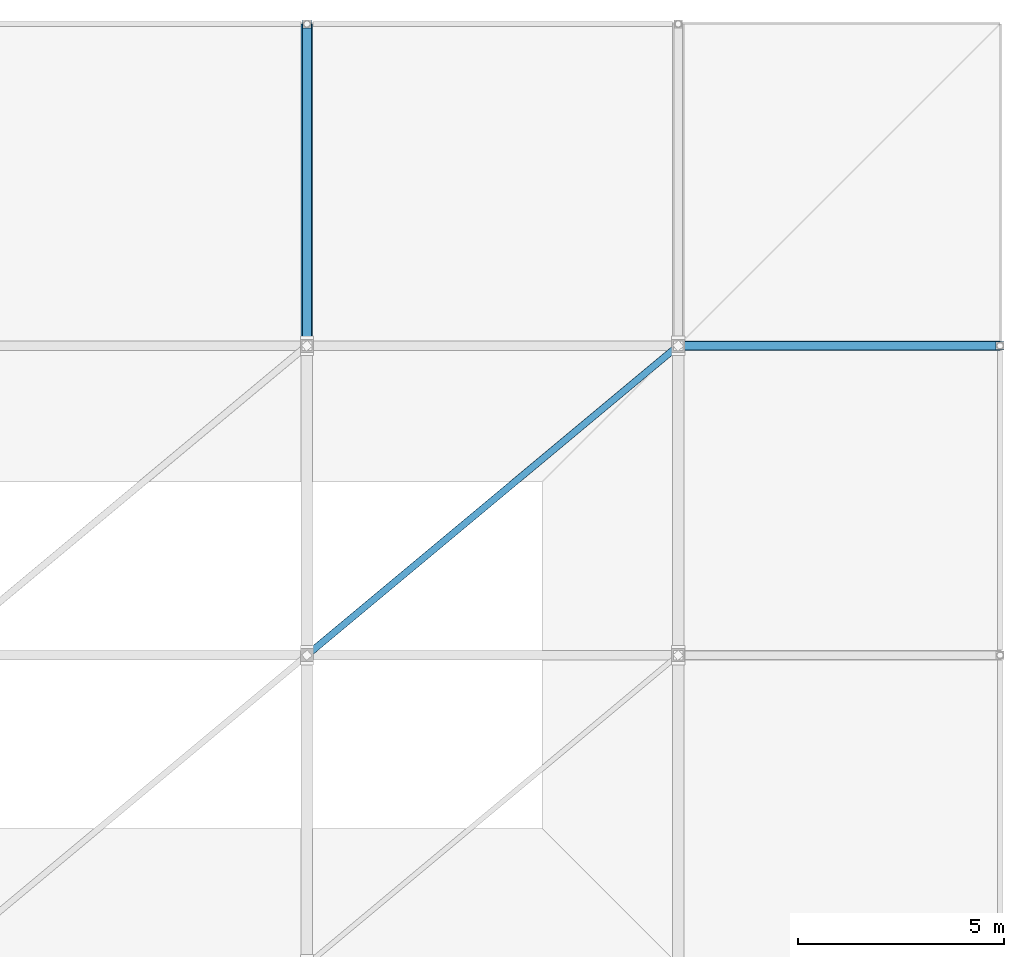
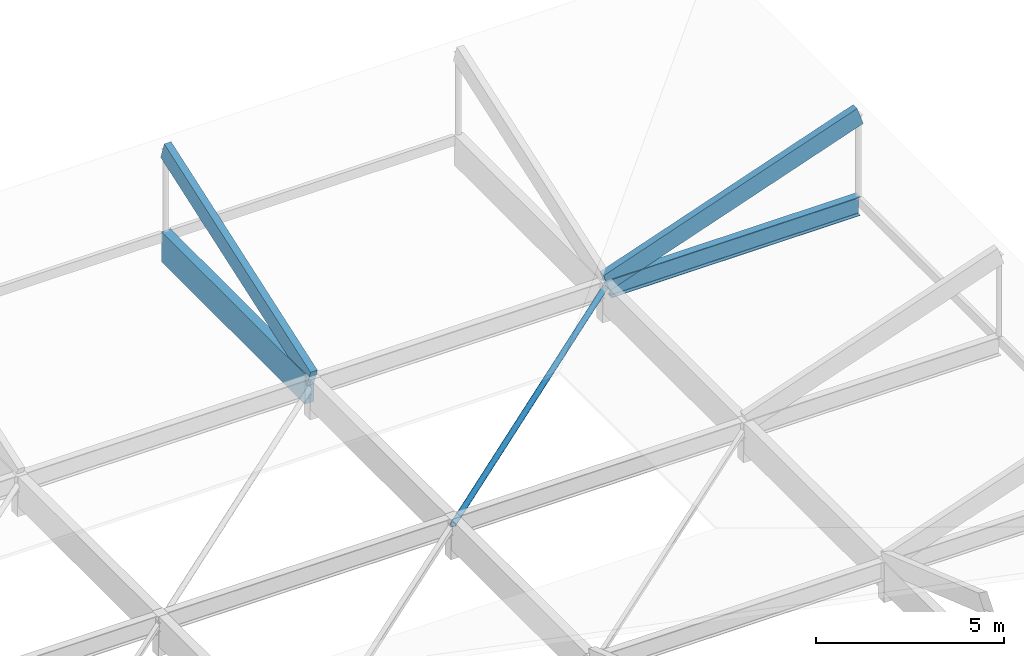
# One storey, part 14 of 19: 3 members, 2 beams.
"""IFC4 building model written with IfcOpenShell, lengths in metres."""

import ifcopenshell
import ifcopenshell.guid

model = None  # the IFC model being written
_history = None  # IfcOwnerHistory: only IFC2X3 demands one
_inside = {}  # id of a spatial element -> (the spatial element, [elements in it])
_under = {}  # id of a project, library or spatial element -> (it, [spatial elements below it])
_declared = {}  # id of a project -> (the project, [libraries it declares])
_typed = {}  # id of a type object -> (the type object, [elements of that type])
_made_of = {}  # id of a material, layer set ... -> (it, [elements and type objects made of it])


def new_model(schema):
    """Start an empty IFC model of exactly this schema.

    Asked for "IFC4X3", IfcOpenShell would pick the latest addendum, in which some entities
    have other attributes; the version numbers below select the first issue.
    IFC2X3 requires an IfcOwnerHistory on every rooted entity: one is made here for all.
    """
    global model, _history
    if schema == "IFC4X3":
        model = ifcopenshell.file(schema_version=(4, 3, 0, 0))
    else:
        model = ifcopenshell.file(schema=schema)
    _inside.clear()
    _under.clear()
    _declared.clear()
    _typed.clear()
    _made_of.clear()
    _history = None
    if model.schema == "IFC2X3":
        org = make("IfcOrganization", Name="unknown")
        user = make(
            "IfcPersonAndOrganization",
            ThePerson=make("IfcPerson", FamilyName="unknown"),
            TheOrganization=org,
        )
        app = make(
            "IfcApplication",
            ApplicationDeveloper=org,
            Version="unknown",
            ApplicationFullName="unknown",
            ApplicationIdentifier="unknown",
        )
        _history = make(
            "IfcOwnerHistory",
            OwningUser=user,
            OwningApplication=app,
            ChangeAction="ADDED",
            CreationDate=0,
        )
    return model


def make(cls, **values):
    """One entity of the class cls with the attributes given. An attribute that is None is left unset."""
    return model.create_entity(
        cls, **{name: value for name, value in values.items() if value is not None}
    )


def rooted(cls, **values):
    """An entity with a GlobalId (a new one), such as an element, a storey or a relation."""
    return make(cls, GlobalId=ifcopenshell.guid.new(), OwnerHistory=_history, **values)


def si_unit(unit_type, name, prefix=None):
    """IfcSIUnit, for example si_unit("LENGTHUNIT", "METRE", prefix="MILLI")."""
    return make("IfcSIUnit", UnitType=unit_type, Prefix=prefix, Name=name)


def assignment(units):
    """IfcUnitAssignment: the units of a project."""
    return None if units is None else make("IfcUnitAssignment", Units=units)


def point(xyz):
    """IfcCartesianPoint."""
    return None if xyz is None else make("IfcCartesianPoint", Coordinates=xyz)


def direction(xyz):
    """IfcDirection."""
    return None if xyz is None else make("IfcDirection", DirectionRatios=xyz)


def frame(location, z_axis=None, x_axis=None):
    """IfcAxis2Placement3D, a coordinate frame: its origin and axes. An axis left out is left unset."""
    return make(
        "IfcAxis2Placement3D",
        Location=point(location),
        Axis=direction(z_axis),
        RefDirection=direction(x_axis),
    )


def frame_2d(location, x_axis=None):
    """IfcAxis2Placement2D, a coordinate frame in the plane: its origin and x axis."""
    return make(
        "IfcAxis2Placement2D", Location=point(location), RefDirection=direction(x_axis)
    )


def origin():
    """The frame at (0, 0, 0) with its axes left unset."""
    return frame((0.0, 0.0, 0.0))


def origin_2d():
    """The frame at (0, 0) in the plane with its x axis left unset."""
    return frame_2d((0.0, 0.0))


def place(relative_to, where):
    """IfcLocalPlacement: puts the frame where relative to a parent placement (None: the world)."""
    return make(
        "IfcLocalPlacement", PlacementRelTo=relative_to, RelativePlacement=where
    )


def context(
    kind, dimensions, precision=None, world=None, true_north=None, identifier=None
):
    """IfcGeometricRepresentationContext, for example the 3D "Model" context."""
    return make(
        "IfcGeometricRepresentationContext",
        ContextIdentifier=identifier,
        ContextType=kind,
        CoordinateSpaceDimension=dimensions,
        Precision=precision,
        WorldCoordinateSystem=world,
        TrueNorth=true_north,
    )


def subcontext(parent, identifier, kind, view, scale=None):
    """IfcGeometricRepresentationSubContext, for example "Body" below "Model"."""
    return make(
        "IfcGeometricRepresentationSubContext",
        ContextIdentifier=identifier,
        ContextType=kind,
        ParentContext=parent,
        TargetScale=scale,
        TargetView=view,
    )


def project(units=None, contexts=None):
    """IfcProject with its units and contexts."""
    return rooted(
        "IfcProject",
        Name="project",
        RepresentationContexts=contexts,
        UnitsInContext=assignment(units),
    )


def spatial(cls, under=None, at=None, **own):
    """A site, building, storey or space (cls), placed at a placement, below another one or the project."""
    s = rooted(cls, ObjectPlacement=at, **own)
    if under is not None:
        _under.setdefault(under.id(), (under, []))[1].append(s)
    return s


def profile(cls, at=None, kind="AREA", **sizes):
    """A parametric profile (cls). Its sizes go by their IFC names, for example OverallWidth=200.0."""
    return make(cls, ProfileType=kind, Position=at, **sizes)


def rectangle(**sizes):
    """IfcRectangleProfileDef."""
    return profile("IfcRectangleProfileDef", **sizes)


def hollow_circle(**sizes):
    """IfcCircleHollowProfileDef."""
    return profile("IfcCircleHollowProfileDef", **sizes)


def i_section(**sizes):
    """IfcIShapeProfileDef."""
    return profile("IfcIShapeProfileDef", **sizes)


def extrude(swept, where, along, depth):
    """IfcExtrudedAreaSolid: the profile swept, set in the frame where, extruded along a direction by depth."""
    return make(
        "IfcExtrudedAreaSolid",
        SweptArea=swept,
        Position=where,
        ExtrudedDirection=direction(along),
        Depth=depth,
    )


def shape(context_of_items, identifier, shape_type, items):
    """IfcShapeRepresentation: the items that make up one representation, for example the "Body"."""
    return make(
        "IfcShapeRepresentation",
        ContextOfItems=context_of_items,
        RepresentationIdentifier=identifier,
        RepresentationType=shape_type,
        Items=items,
    )


def material(Name=None, Category=None):
    """IfcMaterial."""
    return make("IfcMaterial", Name=Name, Category=Category)


def material_profile(
    of_material, cross_section, Name=None, Category=None, Priority=None
):
    """IfcMaterialProfile: a cross section and its material."""
    return make(
        "IfcMaterialProfile",
        Name=Name,
        Material=of_material,
        Profile=cross_section,
        Priority=Priority,
        Category=Category,
    )


def profile_set(profiles, Name=None, composite=None):
    """IfcMaterialProfileSet."""
    return make(
        "IfcMaterialProfileSet",
        Name=Name,
        MaterialProfiles=profiles,
        CompositeProfile=composite,
    )


def made_of(thing, what):
    """Note that an element or type object is made of a material, layer set ...; save() writes the relation."""
    if what is not None:
        _made_of.setdefault(what.id(), (what, []))[1].append(thing)
    return thing


def type_object(cls, material=None, **own):
    """A type object (cls), such as IfcWallType, which elements share."""
    return made_of(rooted(cls, **own), material)


def element(
    cls,
    number,
    at=None,
    inside=None,
    cuts=None,
    type_object=None,
    material=None,
    context=None,
    identifier="Body",
    shape_type=None,
    held_by="IfcProductDefinitionShape",
    body=None,
    shapes=None,
    **own,
):
    """One element of the class cls, such as IfcWall. Its Tag is "e" and its number.

    at: its placement. inside: the storey or other place that contains it. cuts: it is an
    opening in that element (IfcRelVoidsElement). A single representation is given by context,
    identifier, shape_type and body (its items); several are given by shapes. held_by: the class
    of the entity that holds the representations. save() writes the other relations.
    """
    e = rooted(cls, Tag="e%d" % number, ObjectPlacement=at, **own)
    if body is not None:
        shapes = [shape(context, identifier, shape_type, body)]
    if shapes is not None:
        e.Representation = make(held_by, Representations=shapes)
    if inside is not None:
        _inside.setdefault(inside.id(), (inside, []))[1].append(e)
    if cuts is not None:
        rooted(
            "IfcRelVoidsElement", RelatingBuildingElement=cuts, RelatedOpeningElement=e
        )
    if type_object is not None:
        _typed.setdefault(type_object.id(), (type_object, []))[1].append(e)
    return made_of(e, material)


def aggregate(whole, parts):
    """IfcRelAggregates: a whole, such as a stair, and the parts it consists of."""
    return rooted("IfcRelAggregates", RelatingObject=whole, RelatedObjects=parts)


def save(model, path):
    """Write the relations noted so far, then the file.

    IfcRelAggregates (storeys below a building ...), IfcRelContainedInSpatialStructure (elements
    in a storey), IfcRelDefinesByType, IfcRelAssociatesMaterial and IfcRelDeclares: one each for
    every whole, place, type object, material and project.
    """
    for whole, parts in _under.values():
        aggregate(whole, parts)
    for where, things in _inside.values():
        rooted(
            "IfcRelContainedInSpatialStructure",
            RelatedElements=things,
            RelatingStructure=where,
        )
    for kind, things in _typed.values():
        rooted("IfcRelDefinesByType", RelatedObjects=things, RelatingType=kind)
    for what, things in _made_of.values():
        rooted("IfcRelAssociatesMaterial", RelatedObjects=things, RelatingMaterial=what)
    for by, libraries in _declared.values():
        rooted("IfcRelDeclares", RelatingContext=by, RelatedDefinitions=libraries)
    model.write(path)


model = new_model("IFC4")

# Units and contexts
model_context = context("Model", 3, precision=1e-05, world=origin(), true_north=direction((0.0, 1.0)))
body_context = subcontext(model_context, "Body", "Model", "MODEL_VIEW")
ifc_project = project(units=[si_unit("LENGTHUNIT", "METRE"), si_unit("AREAUNIT", "SQUARE_METRE"), si_unit("VOLUMEUNIT", "CUBIC_METRE"), si_unit("PLANEANGLEUNIT", "RADIAN"), si_unit("MASSUNIT", "GRAM", prefix="KILO")], contexts=[model_context])

# Site, building, storey
site_placement = place(None, origin())
site = spatial("IfcSite", under=ifc_project, at=site_placement, CompositionType="ELEMENT")
building_placement = place(site_placement, origin())
building = spatial("IfcBuilding", under=site, at=building_placement, Name="Marnridge Secondary College", CompositionType="ELEMENT")
storey_placement = place(building_placement, frame((0.0, 0.0, 23.699951171875)))
storey = spatial("IfcBuildingStorey", under=building, at=storey_placement, Name="Roof Level", CompositionType="ELEMENT", Elevation=23.699951171875)

# Beams
ifc_material_1 = material(Name="Glulam timber GL18", Category="wood")
ifc_material_profile_1 = material_profile(ifc_material_1, rectangle(XDim=0.280029296875, YDim=0.97998046875, at=origin_2d()), Name="GL18 280x980")
ifc_profile_set_1 = profile_set([ifc_material_profile_1], Name="Glulam timber GL18")
beam_type_1 = type_object("IfcBeamType", Name="BM-GL980-EXT", PredefinedType="BEAM", material=ifc_profile_set_1)
beam_1_placement = place(storey_placement, frame((81.0, 67.651611328125, 0.81005859375), z_axis=(0.0, 1.0, 0.0), x_axis=(-1.0, 0.0, 0.0)))
element("IfcBeam", 1, at=beam_1_placement, inside=storey, type_object=beam_type_1, Name="Beam BCAN-Roo-1497", PredefinedType="BEAM", context=body_context, shape_type="SweptSolid", body=[
    extrude(rectangle(XDim=0.280029296875, YDim=0.97998046875, at=origin_2d()), origin(), (0.0, 0.0, 1.0), 7.6484375),
])
ifc_material_2 = material(Name="Structural steel Grade 350 (AS/NZS 3679.1/.2, fy = 340-360 MPa)", Category="steel")
ifc_material_profile_2 = material_profile(ifc_material_2, i_section(OverallWidth=0.22900390625, OverallDepth=0.611572265625, WebThickness=0.011962890625, FlangeThickness=0.01953125, FilletRadius=0.013916015625, at=origin_2d()), Name="610UB125")
ifc_profile_set_2 = profile_set([ifc_material_profile_2], Name="Structural steel Grade 350 (AS/NZS 3679.1/.2, fy = 340-360 MPa)")
beam_type_2 = type_object("IfcBeamType", Name="BM-UB610-EXT", PredefinedType="BEAM", material=ifc_profile_set_2)
beam_2_placement = place(storey_placement, frame((90.151611328125, 67.5, 0.994140625), z_axis=(1.0, 0.0, 0.0), x_axis=(0.0, 1.0, 0.0)))
element("IfcBeam", 2, at=beam_2_placement, inside=storey, type_object=beam_type_2, Name="Beam BCAN-Roo-1485", PredefinedType="BEAM", context=body_context, shape_type="SweptSolid", body=[
    extrude(i_section(OverallWidth=0.22900390625, OverallDepth=0.611572265625, WebThickness=0.011962890625, FlangeThickness=0.01953125, FilletRadius=0.013916015625, at=origin_2d()), origin(), (0.0, 0.0, 1.0), 7.6484375),
])

# Members
ifc_material_3 = material(Name="Cold-formed steel Grade C350L0 (AS/NZS 1163, fy = 350 MPa)", Category="steel")
ifc_material_profile_3 = material_profile(ifc_material_3, hollow_circle(Radius=0.084228515625, WallThickness=0.00634765625, at=origin_2d()), Name="168.3x6.4CHS")
ifc_profile_set_3 = profile_set([ifc_material_profile_3], Name="Cold-formed steel Grade C350L0 (AS/NZS 1163, fy = 350 MPa)")
member_type_1 = type_object("IfcMemberType", Name="MB-BR-CHS168E", PredefinedType="BRACE", material=ifc_profile_set_3)
member_placement = place(storey_placement, frame((81.0, 60.0, 1.0), z_axis=(0.768221279597, 0.640184399664, 0.0), x_axis=(-0.640184399664, 0.768221279597, 0.0)))
element("IfcMember", 3, at=member_placement, inside=storey, type_object=member_type_1, Name="Lateral brace BR-018", PredefinedType="BRACE", context=body_context, shape_type="SweptSolid", body=[
    extrude(hollow_circle(Radius=0.084228515625, WallThickness=0.00634765625, at=origin_2d()), origin(), (0.0, 0.0, 1.0), 11.71533203125),
])
ifc_material_4 = material(Name="Glulam timber GL18", Category="wood")
ifc_material_profile_4 = material_profile(ifc_material_4, rectangle(XDim=0.215087890625, YDim=0.5849609375, at=origin_2d()), Name="GL18 215x585")
ifc_profile_set_4 = profile_set([ifc_material_profile_4], Name="Glulam timber GL18")
member_type_2 = type_object("IfcMemberType", Name="MB-GS-GL585", PredefinedType="CHORD", material=ifc_profile_set_4)
for number, where, z_axis, x_axis, name in (
    (4, (81.0, 67.5, 1.219970703125), (0.0, 0.944796411745, 0.327657962444), (-1.0, 0.0, 0.0), "Canopy overhang truss chord MCR-008"),
    (5, (90.0, 67.5, 1.219970703125), (0.944796411745, 0.0, 0.327657962444), (0.0, 1.0, 0.0), "Canopy overhang truss chord MCR-016"),
):
    element("IfcMember", number, at=place(storey_placement, frame(where, z_axis=z_axis, x_axis=x_axis)), inside=storey, type_object=member_type_2, Name=name, PredefinedType="CHORD", context=body_context, shape_type="SweptSolid", body=[
        extrude(rectangle(XDim=0.215087890625, YDim=0.5849609375, at=origin_2d()), origin(), (0.0, 0.0, 1.0), 8.255859375),
    ])

save(model, "model.ifc")
